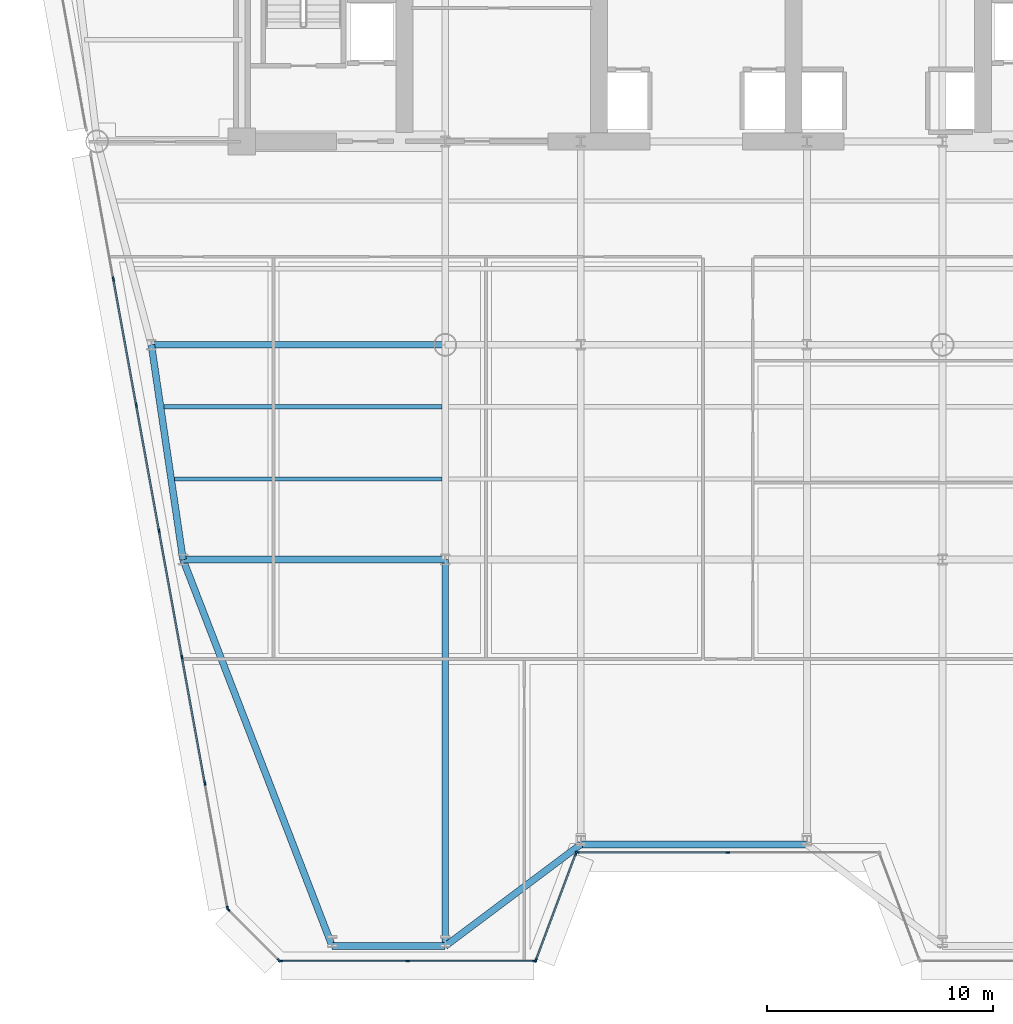
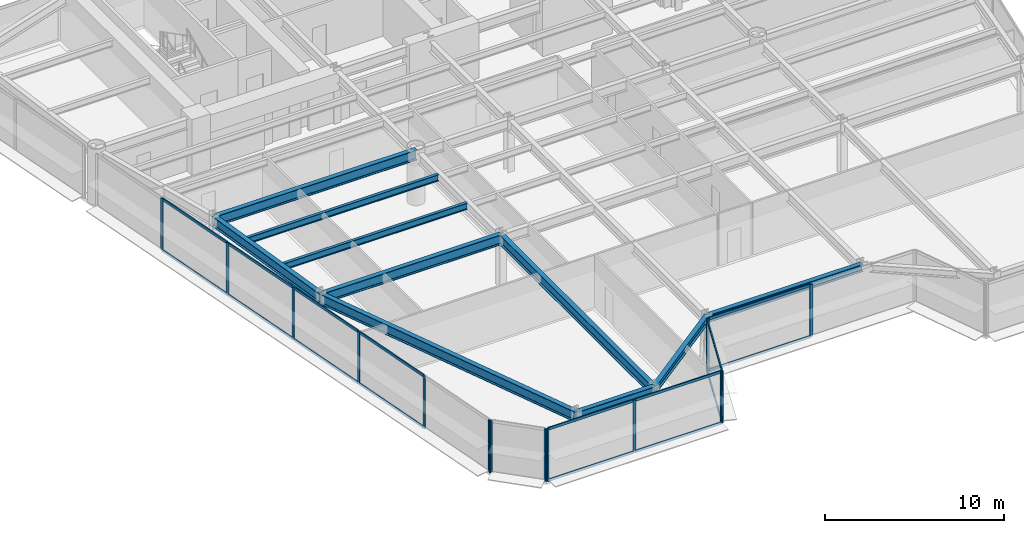
# One storey, part 2 of 14: 31 members, 10 beams, 5 elements without a shape of their own.
"""IFC4 building model written with IfcOpenShell, lengths in metres."""

import ifcopenshell
import ifcopenshell.guid

model = None  # the IFC model being written
_history = None  # IfcOwnerHistory: only IFC2X3 demands one
_inside = {}  # id of a spatial element -> (the spatial element, [elements in it])
_under = {}  # id of a project, library or spatial element -> (it, [spatial elements below it])
_declared = {}  # id of a project -> (the project, [libraries it declares])
_typed = {}  # id of a type object -> (the type object, [elements of that type])
_made_of = {}  # id of a material, layer set ... -> (it, [elements and type objects made of it])


def new_model(schema):
    """Start an empty IFC model of exactly this schema.

    Asked for "IFC4X3", IfcOpenShell would pick the latest addendum, in which some entities
    have other attributes; the version numbers below select the first issue.
    IFC2X3 requires an IfcOwnerHistory on every rooted entity: one is made here for all.
    """
    global model, _history
    if schema == "IFC4X3":
        model = ifcopenshell.file(schema_version=(4, 3, 0, 0))
    else:
        model = ifcopenshell.file(schema=schema)
    _inside.clear()
    _under.clear()
    _declared.clear()
    _typed.clear()
    _made_of.clear()
    _history = None
    if model.schema == "IFC2X3":
        org = make("IfcOrganization", Name="unknown")
        user = make(
            "IfcPersonAndOrganization",
            ThePerson=make("IfcPerson", FamilyName="unknown"),
            TheOrganization=org,
        )
        app = make(
            "IfcApplication",
            ApplicationDeveloper=org,
            Version="unknown",
            ApplicationFullName="unknown",
            ApplicationIdentifier="unknown",
        )
        _history = make(
            "IfcOwnerHistory",
            OwningUser=user,
            OwningApplication=app,
            ChangeAction="ADDED",
            CreationDate=0,
        )
    return model


def make(cls, **values):
    """One entity of the class cls with the attributes given. An attribute that is None is left unset."""
    return model.create_entity(
        cls, **{name: value for name, value in values.items() if value is not None}
    )


def rooted(cls, **values):
    """An entity with a GlobalId (a new one), such as an element, a storey or a relation."""
    return make(cls, GlobalId=ifcopenshell.guid.new(), OwnerHistory=_history, **values)


def si_unit(unit_type, name, prefix=None):
    """IfcSIUnit, for example si_unit("LENGTHUNIT", "METRE", prefix="MILLI")."""
    return make("IfcSIUnit", UnitType=unit_type, Prefix=prefix, Name=name)


def assignment(units):
    """IfcUnitAssignment: the units of a project."""
    return None if units is None else make("IfcUnitAssignment", Units=units)


def point(xyz):
    """IfcCartesianPoint."""
    return None if xyz is None else make("IfcCartesianPoint", Coordinates=xyz)


def direction(xyz):
    """IfcDirection."""
    return None if xyz is None else make("IfcDirection", DirectionRatios=xyz)


def frame(location, z_axis=None, x_axis=None):
    """IfcAxis2Placement3D, a coordinate frame: its origin and axes. An axis left out is left unset."""
    return make(
        "IfcAxis2Placement3D",
        Location=point(location),
        Axis=direction(z_axis),
        RefDirection=direction(x_axis),
    )


def frame_2d(location, x_axis=None):
    """IfcAxis2Placement2D, a coordinate frame in the plane: its origin and x axis."""
    return make(
        "IfcAxis2Placement2D", Location=point(location), RefDirection=direction(x_axis)
    )


def origin():
    """The frame at (0, 0, 0) with its axes left unset."""
    return frame((0.0, 0.0, 0.0))


def origin_2d():
    """The frame at (0, 0) in the plane with its x axis left unset."""
    return frame_2d((0.0, 0.0))


def place(relative_to, where):
    """IfcLocalPlacement: puts the frame where relative to a parent placement (None: the world)."""
    return make(
        "IfcLocalPlacement", PlacementRelTo=relative_to, RelativePlacement=where
    )


def context(
    kind, dimensions, precision=None, world=None, true_north=None, identifier=None
):
    """IfcGeometricRepresentationContext, for example the 3D "Model" context."""
    return make(
        "IfcGeometricRepresentationContext",
        ContextIdentifier=identifier,
        ContextType=kind,
        CoordinateSpaceDimension=dimensions,
        Precision=precision,
        WorldCoordinateSystem=world,
        TrueNorth=true_north,
    )


def subcontext(parent, identifier, kind, view, scale=None):
    """IfcGeometricRepresentationSubContext, for example "Body" below "Model"."""
    return make(
        "IfcGeometricRepresentationSubContext",
        ContextIdentifier=identifier,
        ContextType=kind,
        ParentContext=parent,
        TargetScale=scale,
        TargetView=view,
    )


def project(units=None, contexts=None):
    """IfcProject with its units and contexts."""
    return rooted(
        "IfcProject",
        Name="project",
        RepresentationContexts=contexts,
        UnitsInContext=assignment(units),
    )


def spatial(cls, under=None, at=None, **own):
    """A site, building, storey or space (cls), placed at a placement, below another one or the project."""
    s = rooted(cls, ObjectPlacement=at, **own)
    if under is not None:
        _under.setdefault(under.id(), (under, []))[1].append(s)
    return s


def profile(cls, at=None, kind="AREA", **sizes):
    """A parametric profile (cls). Its sizes go by their IFC names, for example OverallWidth=200.0."""
    return make(cls, ProfileType=kind, Position=at, **sizes)


def rectangle(**sizes):
    """IfcRectangleProfileDef."""
    return profile("IfcRectangleProfileDef", **sizes)


def i_section(**sizes):
    """IfcIShapeProfileDef."""
    return profile("IfcIShapeProfileDef", **sizes)


def extrude(swept, where, along, depth):
    """IfcExtrudedAreaSolid: the profile swept, set in the frame where, extruded along a direction by depth."""
    return make(
        "IfcExtrudedAreaSolid",
        SweptArea=swept,
        Position=where,
        ExtrudedDirection=direction(along),
        Depth=depth,
    )


def shape(context_of_items, identifier, shape_type, items):
    """IfcShapeRepresentation: the items that make up one representation, for example the "Body"."""
    return make(
        "IfcShapeRepresentation",
        ContextOfItems=context_of_items,
        RepresentationIdentifier=identifier,
        RepresentationType=shape_type,
        Items=items,
    )


def source(mapping_origin, context_of_items, identifier, shape_type, items):
    """IfcRepresentationMap: a shape defined once, which mapped items show again and again."""
    return make(
        "IfcRepresentationMap",
        MappingOrigin=mapping_origin,
        MappedRepresentation=shape(context_of_items, identifier, shape_type, items),
    )


def transform(
    local_origin,
    x_axis=None,
    y_axis=None,
    z_axis=None,
    scale=None,
    scale2=None,
    scale3=None,
    uniform=True,
):
    """IfcCartesianTransformationOperator3D, or its non-uniform kind. x_axis, y_axis, z_axis: its Axis1, 2, 3."""
    if uniform:
        return make(
            "IfcCartesianTransformationOperator3D",
            Axis1=direction(x_axis),
            Axis2=direction(y_axis),
            LocalOrigin=point(local_origin),
            Scale=scale,
            Axis3=direction(z_axis),
        )
    return make(
        "IfcCartesianTransformationOperator3DnonUniform",
        Axis1=direction(x_axis),
        Axis2=direction(y_axis),
        LocalOrigin=point(local_origin),
        Scale=scale,
        Axis3=direction(z_axis),
        Scale2=scale2,
        Scale3=scale3,
    )


def mapped(mapping_source, mapping_target):
    """IfcMappedItem: shows the shape of a source again, moved by a transform."""
    return make(
        "IfcMappedItem", MappingSource=mapping_source, MappingTarget=mapping_target
    )


def material(Name=None, Category=None):
    """IfcMaterial."""
    return make("IfcMaterial", Name=Name, Category=Category)


def layer(
    of_material, thickness, ventilated=None, Name=None, Category=None, Priority=None
):
    """IfcMaterialLayer: one layer of a wall or slab, of a material (None: an air gap)."""
    return make(
        "IfcMaterialLayer",
        Material=of_material,
        LayerThickness=thickness,
        IsVentilated=ventilated,
        Name=Name,
        Category=Category,
        Priority=Priority,
    )


def layer_set(layers, Name=None):
    """IfcMaterialLayerSet."""
    return make("IfcMaterialLayerSet", MaterialLayers=layers, LayerSetName=Name)


def material_profile(
    of_material, cross_section, Name=None, Category=None, Priority=None
):
    """IfcMaterialProfile: a cross section and its material."""
    return make(
        "IfcMaterialProfile",
        Name=Name,
        Material=of_material,
        Profile=cross_section,
        Priority=Priority,
        Category=Category,
    )


def profile_set(profiles, Name=None, composite=None):
    """IfcMaterialProfileSet."""
    return make(
        "IfcMaterialProfileSet",
        Name=Name,
        MaterialProfiles=profiles,
        CompositeProfile=composite,
    )


def made_of(thing, what):
    """Note that an element or type object is made of a material, layer set ...; save() writes the relation."""
    if what is not None:
        _made_of.setdefault(what.id(), (what, []))[1].append(thing)
    return thing


def type_object(cls, material=None, **own):
    """A type object (cls), such as IfcWallType, which elements share."""
    return made_of(rooted(cls, **own), material)


def element(
    cls,
    number,
    at=None,
    inside=None,
    cuts=None,
    type_object=None,
    material=None,
    context=None,
    identifier="Body",
    shape_type=None,
    held_by="IfcProductDefinitionShape",
    body=None,
    shapes=None,
    **own,
):
    """One element of the class cls, such as IfcWall. Its Tag is "e" and its number.

    at: its placement. inside: the storey or other place that contains it. cuts: it is an
    opening in that element (IfcRelVoidsElement). A single representation is given by context,
    identifier, shape_type and body (its items); several are given by shapes. held_by: the class
    of the entity that holds the representations. save() writes the other relations.
    """
    e = rooted(cls, Tag="e%d" % number, ObjectPlacement=at, **own)
    if body is not None:
        shapes = [shape(context, identifier, shape_type, body)]
    if shapes is not None:
        e.Representation = make(held_by, Representations=shapes)
    if inside is not None:
        _inside.setdefault(inside.id(), (inside, []))[1].append(e)
    if cuts is not None:
        rooted(
            "IfcRelVoidsElement", RelatingBuildingElement=cuts, RelatedOpeningElement=e
        )
    if type_object is not None:
        _typed.setdefault(type_object.id(), (type_object, []))[1].append(e)
    return made_of(e, material)


def aggregate(whole, parts):
    """IfcRelAggregates: a whole, such as a stair, and the parts it consists of."""
    return rooted("IfcRelAggregates", RelatingObject=whole, RelatedObjects=parts)


def save(model, path):
    """Write the relations noted so far, then the file.

    IfcRelAggregates (storeys below a building ...), IfcRelContainedInSpatialStructure (elements
    in a storey), IfcRelDefinesByType, IfcRelAssociatesMaterial and IfcRelDeclares: one each for
    every whole, place, type object, material and project.
    """
    for whole, parts in _under.values():
        aggregate(whole, parts)
    for where, things in _inside.values():
        rooted(
            "IfcRelContainedInSpatialStructure",
            RelatedElements=things,
            RelatingStructure=where,
        )
    for kind, things in _typed.values():
        rooted("IfcRelDefinesByType", RelatedObjects=things, RelatingType=kind)
    for what, things in _made_of.values():
        rooted("IfcRelAssociatesMaterial", RelatedObjects=things, RelatingMaterial=what)
    for by, libraries in _declared.values():
        rooted("IfcRelDeclares", RelatingContext=by, RelatedDefinitions=libraries)
    model.write(path)


model = new_model("IFC4")

# Units and contexts
model_context = context("Model", 3, precision=1e-05, world=origin(), true_north=direction((0.0, 1.0)))
body_context = subcontext(model_context, "Body", "Model", "MODEL_VIEW")
ifc_project = project(units=[si_unit("LENGTHUNIT", "METRE"), si_unit("AREAUNIT", "SQUARE_METRE"), si_unit("VOLUMEUNIT", "CUBIC_METRE"), si_unit("PLANEANGLEUNIT", "RADIAN"), si_unit("MASSUNIT", "GRAM", prefix="KILO")], contexts=[model_context])

# Site, building, storey
site_placement = place(None, origin())
site = spatial("IfcSite", under=ifc_project, at=site_placement, CompositionType="ELEMENT")
building_placement = place(site_placement, origin())
building = spatial("IfcBuilding", under=site, at=building_placement, Name="Vaeldorn Concourse Tower", CompositionType="ELEMENT")
storey_placement = place(building_placement, frame((0.0, 0.0, 141.39990234375)))
storey = spatial("IfcBuildingStorey", under=building, at=storey_placement, Name="L36", CompositionType="ELEMENT", Elevation=141.39990234375)

# Beams
ifc_material_1 = material(Name="Steel S355", Category="steel")
ifc_material_profile_1 = material_profile(ifc_material_1, i_section(OverallWidth=0.300048828125, OverallDepth=0.699951171875, WebThickness=0.01708984375, FlangeThickness=0.031982421875, FilletRadius=0.027099609375, at=origin_2d()), Name="HEB 700")
ifc_profile_set_1 = profile_set([ifc_material_profile_1], Name="Steel S355")
beam_type_1 = type_object("IfcBeamType", Name="BM-PG-HEB700", PredefinedType="BEAM", material=ifc_profile_set_1)
shared_shape_1 = source(origin(), body_context, "Body", "SweptSolid", [
    extrude(i_section(OverallWidth=0.300048828125, OverallDepth=0.699951171875, WebThickness=0.01708984375, FlangeThickness=0.031982421875, FilletRadius=0.027099609375, at=origin_2d()), origin(), (0.0, 0.0, 1.0), 13.0),
])
beam_1_placement = place(storey_placement, frame((10.0, 27.5, 3.22998046875), z_axis=(1.0, 0.0, 0.0), x_axis=(0.0, 1.0, 0.0)))
element("IfcBeam", 1, at=beam_1_placement, inside=storey, type_object=beam_type_1, Name="Beam BM-L36-C-FLW1-C-TW1", PredefinedType="BEAM", context=body_context, shape_type="MappedRepresentation", body=[
    mapped(shared_shape_1, transform((0.0, 0.0, 0.0), scale=1.0)),
])
ifc_material_profile_2 = material_profile(ifc_material_1, i_section(OverallWidth=0.300048828125, OverallDepth=0.5, WebThickness=0.014404296875, FlangeThickness=0.028076171875, FilletRadius=0.027099609375, at=origin_2d()), Name="HEB 500")
ifc_profile_set_2 = profile_set([ifc_material_profile_2], Name="Steel S355")
beam_type_2 = type_object("IfcBeamType", Name="BM-SP-HEB500", PredefinedType="SPANDREL", material=ifc_profile_set_2)
shared_shape_2 = source(origin(), body_context, "Body", "SweptSolid", [
    extrude(i_section(OverallWidth=0.300048828125, OverallDepth=0.5, WebThickness=0.014404296875, FlangeThickness=0.028076171875, FilletRadius=0.027099609375, at=origin_2d()), origin(), (0.0, 0.0, 1.0), 5.0),
])
beam_2_placement = place(storey_placement, frame((18.0, 0.89990234375, 3.330078125), z_axis=(1.0, 0.0, 0.0), x_axis=(0.0, 1.0, 0.0)))
element("IfcBeam", 2, at=beam_2_placement, inside=storey, type_object=beam_type_2, Name="Beam BM-L36-C-SF1-C-SF2", PredefinedType="SPANDREL", context=body_context, shape_type="MappedRepresentation", body=[
    mapped(shared_shape_2, transform((0.0, 0.0, 0.0), scale=1.0)),
])
shared_shape_3 = source(origin(), body_context, "Body", "SweptSolid", [
    extrude(i_section(OverallWidth=0.300048828125, OverallDepth=0.5, WebThickness=0.014404296875, FlangeThickness=0.028076171875, FilletRadius=0.027099609375, at=origin_2d()), origin(), (0.0, 0.0, 1.0), 7.5),
])
beam_3_placement = place(storey_placement, frame((23.0, 0.89990234375, 3.330078125), z_axis=(0.8, 0.6, 0.0), x_axis=(-0.6, 0.8, 0.0)))
element("IfcBeam", 3, at=beam_3_placement, inside=storey, type_object=beam_type_2, Name="Beam BM-L36-C-SF2-C-SF3", PredefinedType="SPANDREL", context=body_context, shape_type="MappedRepresentation", body=[
    mapped(shared_shape_3, transform((0.0, 0.0, 0.0), scale=1.0)),
])
shared_shape_4 = source(origin(), body_context, "Body", "SweptSolid", [
    extrude(i_section(OverallWidth=0.300048828125, OverallDepth=0.5, WebThickness=0.014404296875, FlangeThickness=0.028076171875, FilletRadius=0.027099609375, at=origin_2d()), origin(), (0.0, 0.0, 1.0), 10.0),
])
beam_4_placement = place(storey_placement, frame((29.0, 5.39990234375, 3.330078125), z_axis=(1.0, 0.0, 0.0), x_axis=(0.0, 1.0, 0.0)))
element("IfcBeam", 4, at=beam_4_placement, inside=storey, type_object=beam_type_2, Name="Beam BM-L36-C-SF3-C-SF4", PredefinedType="SPANDREL", context=body_context, shape_type="MappedRepresentation", body=[
    mapped(shared_shape_4, transform((0.0, 0.0, 0.0), scale=1.0)),
])
shared_shape_5 = source(origin(), body_context, "Body", "SweptSolid", [
    extrude(i_section(OverallWidth=0.300048828125, OverallDepth=0.699951171875, WebThickness=0.01708984375, FlangeThickness=0.031982421875, FilletRadius=0.027099609375, at=origin_2d()), origin(), (0.0, 0.0, 1.0), 9.6025390625),
])
beam_5_placement = place(storey_placement, frame((10.0, 27.5, 3.22998046875), z_axis=(0.145783835977, -0.989316467652, 0.0), x_axis=(0.989316467652, 0.145783835977, 0.0)))
element("IfcBeam", 5, at=beam_5_placement, inside=storey, type_object=beam_type_1, Name="Beam BM-L36-C-FLW1-C-FLW2", PredefinedType="BEAM", context=body_context, shape_type="MappedRepresentation", body=[
    mapped(shared_shape_5, transform((0.0, 0.0, 0.0), scale=1.0)),
])
shared_shape_6 = source(origin(), body_context, "Body", "SweptSolid", [
    extrude(i_section(OverallWidth=0.300048828125, OverallDepth=0.699951171875, WebThickness=0.01708984375, FlangeThickness=0.031982421875, FilletRadius=0.027099609375, at=origin_2d()), origin(), (0.0, 0.0, 1.0), 11.60009765625),
])
beam_6_placement = place(storey_placement, frame((11.39990234375, 18.0, 3.22998046875), z_axis=(1.0, 0.0, 0.0), x_axis=(0.0, 1.0, 0.0)))
element("IfcBeam", 6, at=beam_6_placement, inside=storey, type_object=beam_type_1, Name="Beam BM-L36-C-FLW2-C-TW5", PredefinedType="BEAM", context=body_context, shape_type="MappedRepresentation", body=[
    mapped(shared_shape_6, transform((0.0, 0.0, 0.0), scale=1.0)),
])
shared_shape_7 = source(origin(), body_context, "Body", "SweptSolid", [
    extrude(i_section(OverallWidth=0.300048828125, OverallDepth=0.699951171875, WebThickness=0.01708984375, FlangeThickness=0.031982421875, FilletRadius=0.027099609375, at=origin_2d()), origin(), (0.0, 0.0, 1.0), 18.32958984375),
])
beam_7_placement = place(storey_placement, frame((18.0, 0.89990234375, 3.22998046875), z_axis=(-0.36007844134, 0.932922031084, 0.0), x_axis=(-0.932922031084, -0.36007844134, 0.0)))
element("IfcBeam", 7, at=beam_7_placement, inside=storey, type_object=beam_type_1, Name="Beam BM-L36-C-SF1-C-FLW2", PredefinedType="BEAM", context=body_context, shape_type="MappedRepresentation", body=[
    mapped(shared_shape_7, transform((0.0, 0.0, 0.0), scale=1.0)),
])
shared_shape_8 = source(origin(), body_context, "Body", "SweptSolid", [
    extrude(i_section(OverallWidth=0.300048828125, OverallDepth=0.699951171875, WebThickness=0.01708984375, FlangeThickness=0.031982421875, FilletRadius=0.027099609375, at=origin_2d()), origin(), (0.0, 0.0, 1.0), 17.10009765625),
])
beam_8_placement = place(storey_placement, frame((23.0, 0.89990234375, 3.22998046875), z_axis=(0.0, 1.0, 0.0), x_axis=(-1.0, 0.0, 0.0)))
element("IfcBeam", 8, at=beam_8_placement, inside=storey, type_object=beam_type_1, Name="Beam BM-L36-C-SF2-C-TW5", PredefinedType="BEAM", context=body_context, shape_type="MappedRepresentation", body=[
    mapped(shared_shape_8, transform((0.0, 0.0, 0.0), scale=1.0)),
])
ifc_material_profile_3 = material_profile(ifc_material_1, i_section(OverallWidth=0.18994140625, OverallDepth=0.449951171875, WebThickness=0.009521484375, FlangeThickness=0.0146484375, FilletRadius=0.02099609375, at=origin_2d()), Name="IPE 450")
ifc_profile_set_3 = profile_set([ifc_material_profile_3], Name="Steel S355")
beam_type_3 = type_object("IfcBeamType", Name="BM-JS-IPE450", PredefinedType="JOIST", material=ifc_profile_set_3)
shared_shape_9 = source(origin(), body_context, "Body", "SweptSolid", [
    extrude(i_section(OverallWidth=0.18994140625, OverallDepth=0.449951171875, WebThickness=0.009521484375, FlangeThickness=0.0146484375, FilletRadius=0.02099609375, at=origin_2d()), origin(), (0.0, 0.0, 1.0), 11.82470703125),
])
beam_9_placement = place(storey_placement, frame((11.025390625, 21.56005859375, 3.35498046875), z_axis=(1.0, 0.0, 0.0), x_axis=(0.0, 1.0, 0.0)))
element("IfcBeam", 9, at=beam_9_placement, inside=storey, type_object=beam_type_3, Name="Beam JS-L36-W1-215", PredefinedType="JOIST", context=body_context, shape_type="MappedRepresentation", body=[
    mapped(shared_shape_9, transform((0.0, 0.0, 0.0), scale=1.0)),
])
shared_shape_10 = source(origin(), body_context, "Body", "SweptSolid", [
    extrude(i_section(OverallWidth=0.18994140625, OverallDepth=0.449951171875, WebThickness=0.009521484375, FlangeThickness=0.0146484375, FilletRadius=0.02099609375, at=origin_2d()), origin(), (0.0, 0.0, 1.0), 12.29638671875),
])
beam_10_placement = place(storey_placement, frame((10.5537109375, 24.760009765625, 3.35498046875), z_axis=(1.0, 0.0, 0.0), x_axis=(0.0, 1.0, 0.0)))
element("IfcBeam", 10, at=beam_10_placement, inside=storey, type_object=beam_type_3, Name="Beam JS-L36-W1-247", PredefinedType="JOIST", context=body_context, shape_type="MappedRepresentation", body=[
    mapped(shared_shape_10, transform((0.0, 0.0, 0.0), scale=1.0)),
])

# Curtain wall, members
ifc_material_2 = material(Name="Anodised Bronze Aluminium", Category="aluminium")
ifc_layer = layer(ifc_material_2, 0.199951171875)
ifc_layer_set = layer_set([ifc_layer], Name="Anodised Bronze Aluminium")
curtain_wall_type = type_object("IfcCurtainWallType", Name="CW-SYS-02", PredefinedType="NOTDEFINED", material=ifc_layer_set)
curtain_wall_1_placement = place(storey_placement, origin())
curtain_wall_1 = element("IfcCurtainWall", 11, at=curtain_wall_1_placement, inside=storey, type_object=curtain_wall_type, Name="Unitised Curtain Wall CW-L36-E03-1", PredefinedType="NOTDEFINED")
ifc_material_profile_4 = material_profile(ifc_material_2, rectangle(XDim=0.074951171875, YDim=0.179931640625, at=origin_2d()), Name="CWT 75x180")
ifc_profile_set_4 = profile_set([ifc_material_profile_4], Name="Anodised Bronze Aluminium")
member_type_1 = type_object("IfcMemberType", Name="CWT-BRONZE-180", PredefinedType="USERDEFINED", material=ifc_profile_set_4)
shared_shape_11 = source(origin(), body_context, "Body", "SweptSolid", [
    extrude(rectangle(XDim=0.074951171875, YDim=0.179931640625, at=origin_2d()), origin(), (0.0, 0.0, 1.0), 6.58740234375),
])
member_1_placement = place(storey_placement, frame((28.875, 5.0390625, 0.03759765625), z_axis=(1.0, 0.0, 0.0), x_axis=(0.0, 1.0, 0.0)))
member_1 = element("IfcMember", 12, at=member_1_placement, type_object=member_type_1, Name="CW-02 transom 1.1", ObjectType="TRANSOM", PredefinedType="USERDEFINED", context=body_context, shape_type="MappedRepresentation", body=[
    mapped(shared_shape_11, transform((0.0, 0.0, 0.0), scale=1.0)),
])
member_2_placement = place(storey_placement, frame((28.875, 5.0390625, 3.54248046875), z_axis=(1.0, 0.0, 0.0), x_axis=(0.0, 1.0, 0.0)))
member_2 = element("IfcMember", 13, at=member_2_placement, type_object=member_type_1, Name="CW-02 transom 1.2", ObjectType="TRANSOM", PredefinedType="USERDEFINED", context=body_context, shape_type="MappedRepresentation", body=[
    mapped(shared_shape_11, transform((0.0, 0.0, 0.0), scale=1.0)),
])

curtain_wall_2_placement = place(storey_placement, origin())
curtain_wall_2 = element("IfcCurtainWall", 14, at=curtain_wall_2_placement, inside=storey, type_object=curtain_wall_type, Name="Unitised Curtain Wall CW-L36-E01-1", PredefinedType="NOTDEFINED")
shared_shape_12 = source(origin(), body_context, "Body", "SweptSolid", [
    extrude(rectangle(XDim=0.074951171875, YDim=0.179931640625, at=origin_2d()), origin(), (0.0, 0.0, 1.0), 5.5498046875),
])
member_3_placement = place(storey_placement, frame((15.75048828125, 0.239013671875, 0.03759765625), z_axis=(1.0, 0.0, 0.0), x_axis=(0.0, 1.0, 0.0)))
member_3 = element("IfcMember", 15, at=member_3_placement, type_object=member_type_1, Name="CW-02 transom 1.1", ObjectType="TRANSOM", PredefinedType="USERDEFINED", context=body_context, shape_type="MappedRepresentation", body=[
    mapped(shared_shape_12, transform((0.0, 0.0, 0.0), scale=1.0)),
])
member_4_placement = place(storey_placement, frame((15.75048828125, 0.239013671875, 3.54248046875), z_axis=(1.0, 0.0, 0.0), x_axis=(0.0, 1.0, 0.0)))
member_4 = element("IfcMember", 16, at=member_4_placement, type_object=member_type_1, Name="CW-02 transom 1.2", ObjectType="TRANSOM", PredefinedType="USERDEFINED", context=body_context, shape_type="MappedRepresentation", body=[
    mapped(shared_shape_12, transform((0.0, 0.0, 0.0), scale=1.0)),
])
member_5_placement = place(storey_placement, frame((21.375244140625, 0.239013671875, 0.03759765625), z_axis=(1.0, 0.0, 0.0), x_axis=(0.0, 1.0, 0.0)))
member_5 = element("IfcMember", 17, at=member_5_placement, type_object=member_type_1, Name="CW-02 transom 2.1", ObjectType="TRANSOM", PredefinedType="USERDEFINED", context=body_context, shape_type="MappedRepresentation", body=[
    mapped(shared_shape_12, transform((0.0, 0.0, 0.0), scale=1.0)),
])
member_6_placement = place(storey_placement, frame((21.375244140625, 0.239013671875, 3.54248046875), z_axis=(1.0, 0.0, 0.0), x_axis=(0.0, 1.0, 0.0)))
member_6 = element("IfcMember", 18, at=member_6_placement, type_object=member_type_1, Name="CW-02 transom 2.2", ObjectType="TRANSOM", PredefinedType="USERDEFINED", context=body_context, shape_type="MappedRepresentation", body=[
    mapped(shared_shape_12, transform((0.0, 0.0, 0.0), scale=1.0)),
])

curtain_wall_3_placement = place(storey_placement, origin())
curtain_wall_3 = element("IfcCurtainWall", 19, at=curtain_wall_3_placement, inside=storey, type_object=curtain_wall_type, Name="Unitised Curtain Wall CW-L36-E02-1", PredefinedType="NOTDEFINED")
shared_shape_13 = source(origin(), body_context, "Body", "SweptSolid", [
    extrude(rectangle(XDim=0.074951171875, YDim=0.179931640625, at=origin_2d()), origin(), (0.0, 0.0, 1.0), 4.9765625),
])
member_7_placement = place(storey_placement, frame((27.0263671875, 0.309326171875, 0.03759765625), z_axis=(0.351112688987, 0.936333209724, 0.0), x_axis=(-0.936333209724, 0.351112688987, 0.0)))
member_7 = element("IfcMember", 20, at=member_7_placement, type_object=member_type_1, Name="CW-02 transom 1.1", ObjectType="TRANSOM", PredefinedType="USERDEFINED", context=body_context, shape_type="MappedRepresentation", body=[
    mapped(shared_shape_13, transform((0.0, 0.0, 0.0), scale=1.0)),
])
member_8_placement = place(storey_placement, frame((27.0263671875, 0.309326171875, 3.54248046875), z_axis=(0.351112688987, 0.936333209724, 0.0), x_axis=(-0.936333209724, 0.351112688987, 0.0)))
member_8 = element("IfcMember", 21, at=member_8_placement, type_object=member_type_1, Name="CW-02 transom 1.2", ObjectType="TRANSOM", PredefinedType="USERDEFINED", context=body_context, shape_type="MappedRepresentation", body=[
    mapped(shared_shape_13, transform((0.0, 0.0, 0.0), scale=1.0)),
])

# Member
ifc_material_profile_5 = material_profile(ifc_material_2, rectangle(XDim=0.074951171875, YDim=0.18994140625, at=origin_2d()), Name="CWM 75x190")
ifc_profile_set_5 = profile_set([ifc_material_profile_5], Name="Anodised Bronze Aluminium")
member_type_2 = type_object("IfcMemberType", Name="CWM-BRONZE-190", PredefinedType="MULLION", material=ifc_profile_set_5)
shared_shape_14 = source(origin(), body_context, "Body", "SweptSolid", [
    extrude(rectangle(XDim=0.074951171875, YDim=0.18994140625, at=origin_2d()), origin(), (0.0, 0.0, 1.0), 3.580078125),
])
member_9_placement = place(storey_placement, frame((15.712890625, 0.239013671875, 0.0), z_axis=(0.0, 0.0, 1.0), x_axis=(0.0, 1.0, 0.0)))
member_9 = element("IfcMember", 22, at=member_9_placement, type_object=member_type_2, Name="CW-02 mullion 1", PredefinedType="MULLION", context=body_context, shape_type="MappedRepresentation", body=[
    mapped(shared_shape_14, transform((0.0, 0.0, 0.0), scale=1.0)),
])

member_10_placement = place(storey_placement, frame((21.337646484375, 0.239013671875, 0.0), z_axis=(0.0, 0.0, 1.0), x_axis=(0.0, 1.0, 0.0)))
member_10 = element("IfcMember", 23, at=member_10_placement, type_object=member_type_2, Name="CW-02 mullion 2", PredefinedType="MULLION", context=body_context, shape_type="MappedRepresentation", body=[
    mapped(shared_shape_14, transform((0.0, 0.0, 0.0), scale=1.0)),
])

member_11_placement = place(storey_placement, frame((26.96240234375, 0.239013671875, 0.0), z_axis=(0.0, 0.0, 1.0), x_axis=(0.0, 1.0, 0.0)))
member_11 = element("IfcMember", 24, at=member_11_placement, type_object=member_type_2, Name="CW-02 mullion 3", PredefinedType="MULLION", context=body_context, shape_type="MappedRepresentation", body=[
    mapped(shared_shape_14, transform((0.0, 0.0, 0.0), scale=1.0)),
])

aggregate(curtain_wall_2, [member_9, member_10, member_11, member_3, member_4, member_5, member_6])

member_12_placement = place(storey_placement, frame((27.01318359375, 0.274169921875, 0.0), z_axis=(0.0, 0.0, 1.0), x_axis=(-0.936329177566, 0.351123441595, 0.0)))
member_12 = element("IfcMember", 25, at=member_12_placement, type_object=member_type_2, Name="CW-02 mullion 1", PredefinedType="MULLION", context=body_context, shape_type="MappedRepresentation", body=[
    mapped(shared_shape_14, transform((0.0, 0.0, 0.0), scale=1.0)),
])

member_13_placement = place(storey_placement, frame((28.786865234375, 5.00390625, 0.0), z_axis=(0.0, 0.0, 1.0), x_axis=(-0.936329177566, 0.351123441595, 0.0)))
member_13 = element("IfcMember", 26, at=member_13_placement, type_object=member_type_2, Name="CW-02 mullion 2", PredefinedType="MULLION", context=body_context, shape_type="MappedRepresentation", body=[
    mapped(shared_shape_14, transform((0.0, 0.0, 0.0), scale=1.0)),
])

aggregate(curtain_wall_3, [member_12, member_13, member_7, member_8])

member_14_placement = place(storey_placement, frame((28.83740234375, 5.0390625, 0.0), z_axis=(0.0, 0.0, 1.0), x_axis=(0.0, 1.0, 0.0)))
member_14 = element("IfcMember", 27, at=member_14_placement, type_object=member_type_2, Name="CW-02 mullion 1", PredefinedType="MULLION", context=body_context, shape_type="MappedRepresentation", body=[
    mapped(shared_shape_14, transform((0.0, 0.0, 0.0), scale=1.0)),
])

member_15_placement = place(storey_placement, frame((35.5, 5.0390625, 0.0), z_axis=(0.0, 0.0, 1.0), x_axis=(0.0, 1.0, 0.0)))
member_15 = element("IfcMember", 28, at=member_15_placement, type_object=member_type_2, Name="CW-02 mullion 2", PredefinedType="MULLION", context=body_context, shape_type="MappedRepresentation", body=[
    mapped(shared_shape_14, transform((0.0, 0.0, 0.0), scale=1.0)),
])

aggregate(curtain_wall_1, [member_14, member_15, member_1, member_2])

# Curtain wall, members
curtain_wall_4_placement = place(storey_placement, origin())
curtain_wall_4 = element("IfcCurtainWall", 29, at=curtain_wall_4_placement, inside=storey, type_object=curtain_wall_type, Name="Unitised Curtain Wall CW-L36-E11-2", PredefinedType="NOTDEFINED")
member_16_placement = place(storey_placement, frame((8.31884765625, 30.408203125, 0.0), z_axis=(0.0, 0.0, 1.0), x_axis=(0.983935230381, 0.17852580322, 0.0)))
member_16 = element("IfcMember", 30, at=member_16_placement, type_object=member_type_2, Name="CW-02 mullion 2", PredefinedType="MULLION", context=body_context, shape_type="MappedRepresentation", body=[
    mapped(shared_shape_14, transform((0.0, 0.0, 0.0), scale=1.0)),
])
member_17_placement = place(storey_placement, frame((9.330322265625, 24.83447265625, 0.0), z_axis=(0.0, 0.0, 1.0), x_axis=(0.983935230381, 0.17852580322, 0.0)))
member_17 = element("IfcMember", 31, at=member_17_placement, type_object=member_type_2, Name="CW-02 mullion 3", PredefinedType="MULLION", context=body_context, shape_type="MappedRepresentation", body=[
    mapped(shared_shape_14, transform((0.0, 0.0, 0.0), scale=1.0)),
])
member_18_placement = place(storey_placement, frame((10.341552734375, 19.260498046875, 0.0), z_axis=(0.0, 0.0, 1.0), x_axis=(0.983935230381, 0.17852580322, 0.0)))
member_18 = element("IfcMember", 32, at=member_18_placement, type_object=member_type_2, Name="CW-02 mullion 4", PredefinedType="MULLION", context=body_context, shape_type="MappedRepresentation", body=[
    mapped(shared_shape_14, transform((0.0, 0.0, 0.0), scale=1.0)),
])
member_19_placement = place(storey_placement, frame((11.352783203125, 13.686767578125, 0.0), z_axis=(0.0, 0.0, 1.0), x_axis=(0.983935230381, 0.17852580322, 0.0)))
member_19 = element("IfcMember", 33, at=member_19_placement, type_object=member_type_2, Name="CW-02 mullion 5", PredefinedType="MULLION", context=body_context, shape_type="MappedRepresentation", body=[
    mapped(shared_shape_14, transform((0.0, 0.0, 0.0), scale=1.0)),
])
member_20_placement = place(storey_placement, frame((12.3642578125, 8.113037109375, 0.0), z_axis=(0.0, 0.0, 1.0), x_axis=(0.983935230381, 0.17852580322, 0.0)))
member_20 = element("IfcMember", 34, at=member_20_placement, type_object=member_type_2, Name="CW-02 mullion 6", PredefinedType="MULLION", context=body_context, shape_type="MappedRepresentation", body=[
    mapped(shared_shape_14, transform((0.0, 0.0, 0.0), scale=1.0)),
])
member_21_placement = place(storey_placement, frame((13.368896484375, 2.575927734375, 0.0), z_axis=(0.0, 0.0, 1.0), x_axis=(0.983935230381, 0.17852580322, 0.0)))
member_21 = element("IfcMember", 35, at=member_21_placement, type_object=member_type_2, Name="CW-02 mullion 7", PredefinedType="MULLION", context=body_context, shape_type="MappedRepresentation", body=[
    mapped(shared_shape_14, transform((0.0, 0.0, 0.0), scale=1.0)),
])

curtain_wall_5_placement = place(storey_placement, origin())
curtain_wall_5 = element("IfcCurtainWall", 36, at=curtain_wall_5_placement, inside=storey, type_object=curtain_wall_type, Name="Unitised Curtain Wall CW-L36-E12-1", PredefinedType="NOTDEFINED")
member_22_placement = place(storey_placement, frame((13.402099609375, 2.5126953125, 0.0), z_axis=(0.0, 0.0, 1.0), x_axis=(0.707106781187, 0.707106781187, 0.0)))
member_22 = element("IfcMember", 37, at=member_22_placement, type_object=member_type_2, Name="CW-02 mullion 1", PredefinedType="MULLION", context=body_context, shape_type="MappedRepresentation", body=[
    mapped(shared_shape_14, transform((0.0, 0.0, 0.0), scale=1.0)),
])
member_23_placement = place(storey_placement, frame((15.64892578125, 0.265625, 0.0), z_axis=(0.0, 0.0, 1.0), x_axis=(0.707106781187, 0.707106781187, 0.0)))
member_23 = element("IfcMember", 38, at=member_23_placement, type_object=member_type_2, Name="CW-02 mullion 2", PredefinedType="MULLION", context=body_context, shape_type="MappedRepresentation", body=[
    mapped(shared_shape_14, transform((0.0, 0.0, 0.0), scale=1.0)),
])
aggregate(curtain_wall_5, [member_22, member_23])

# Member
shared_shape_15 = source(origin(), body_context, "Body", "SweptSolid", [
    extrude(rectangle(XDim=0.074951171875, YDim=0.179931640625, at=origin_2d()), origin(), (0.0, 0.0, 1.0), 5.58984375),
])
member_24_placement = place(storey_placement, frame((8.32568359375, 30.371337890625, 0.03759765625), z_axis=(0.178504917154, -0.983939019732, 0.0), x_axis=(0.983939019732, 0.178504917154, 0.0)))
member_24 = element("IfcMember", 39, at=member_24_placement, type_object=member_type_1, Name="CW-02 transom 2.1", ObjectType="TRANSOM", PredefinedType="USERDEFINED", context=body_context, shape_type="MappedRepresentation", body=[
    mapped(shared_shape_15, transform((0.0, 0.0, 0.0), scale=1.0)),
])

member_25_placement = place(storey_placement, frame((8.32568359375, 30.371337890625, 3.54248046875), z_axis=(0.178504917154, -0.983939019732, 0.0), x_axis=(0.983939019732, 0.178504917154, 0.0)))
member_25 = element("IfcMember", 40, at=member_25_placement, type_object=member_type_1, Name="CW-02 transom 2.2", ObjectType="TRANSOM", PredefinedType="USERDEFINED", context=body_context, shape_type="MappedRepresentation", body=[
    mapped(shared_shape_15, transform((0.0, 0.0, 0.0), scale=1.0)),
])

member_26_placement = place(storey_placement, frame((9.3369140625, 24.79736328125, 0.03759765625), z_axis=(0.178547201229, -0.983931347673, 0.0), x_axis=(0.983931347673, 0.178547201229, 0.0)))
member_26 = element("IfcMember", 41, at=member_26_placement, type_object=member_type_1, Name="CW-02 transom 3.1", ObjectType="TRANSOM", PredefinedType="USERDEFINED", context=body_context, shape_type="MappedRepresentation", body=[
    mapped(shared_shape_15, transform((0.0, 0.0, 0.0), scale=1.0)),
])

member_27_placement = place(storey_placement, frame((9.3369140625, 24.79736328125, 3.54248046875), z_axis=(0.178547201229, -0.983931347673, 0.0), x_axis=(0.983931347673, 0.178547201229, 0.0)))
member_27 = element("IfcMember", 42, at=member_27_placement, type_object=member_type_1, Name="CW-02 transom 3.2", ObjectType="TRANSOM", PredefinedType="USERDEFINED", context=body_context, shape_type="MappedRepresentation", body=[
    mapped(shared_shape_15, transform((0.0, 0.0, 0.0), scale=1.0)),
])

member_28_placement = place(storey_placement, frame((10.34814453125, 19.2236328125, 0.03759765625), z_axis=(0.178547201229, -0.983931347673, 0.0), x_axis=(0.983931347673, 0.178547201229, 0.0)))
member_28 = element("IfcMember", 43, at=member_28_placement, type_object=member_type_1, Name="CW-02 transom 4.1", ObjectType="TRANSOM", PredefinedType="USERDEFINED", context=body_context, shape_type="MappedRepresentation", body=[
    mapped(shared_shape_15, transform((0.0, 0.0, 0.0), scale=1.0)),
])

member_29_placement = place(storey_placement, frame((10.34814453125, 19.2236328125, 3.54248046875), z_axis=(0.178547201229, -0.983931347673, 0.0), x_axis=(0.983931347673, 0.178547201229, 0.0)))
member_29 = element("IfcMember", 44, at=member_29_placement, type_object=member_type_1, Name="CW-02 transom 4.2", ObjectType="TRANSOM", PredefinedType="USERDEFINED", context=body_context, shape_type="MappedRepresentation", body=[
    mapped(shared_shape_15, transform((0.0, 0.0, 0.0), scale=1.0)),
])

member_30_placement = place(storey_placement, frame((11.359619140625, 13.64990234375, 0.03759765625), z_axis=(0.178504917154, -0.983939019732, 0.0), x_axis=(0.983939019732, 0.178504917154, 0.0)))
member_30 = element("IfcMember", 45, at=member_30_placement, type_object=member_type_1, Name="CW-02 transom 5.1", ObjectType="TRANSOM", PredefinedType="USERDEFINED", context=body_context, shape_type="MappedRepresentation", body=[
    mapped(shared_shape_15, transform((0.0, 0.0, 0.0), scale=1.0)),
])

member_31_placement = place(storey_placement, frame((11.359619140625, 13.64990234375, 3.54248046875), z_axis=(0.178504917154, -0.983939019732, 0.0), x_axis=(0.983939019732, 0.178504917154, 0.0)))
member_31 = element("IfcMember", 46, at=member_31_placement, type_object=member_type_1, Name="CW-02 transom 5.2", ObjectType="TRANSOM", PredefinedType="USERDEFINED", context=body_context, shape_type="MappedRepresentation", body=[
    mapped(shared_shape_15, transform((0.0, 0.0, 0.0), scale=1.0)),
])

aggregate(curtain_wall_4, [member_16, member_17, member_18, member_19, member_20, member_21, member_24, member_25, member_26, member_27, member_28, member_29, member_30, member_31])

save(model, "model.ifc")
